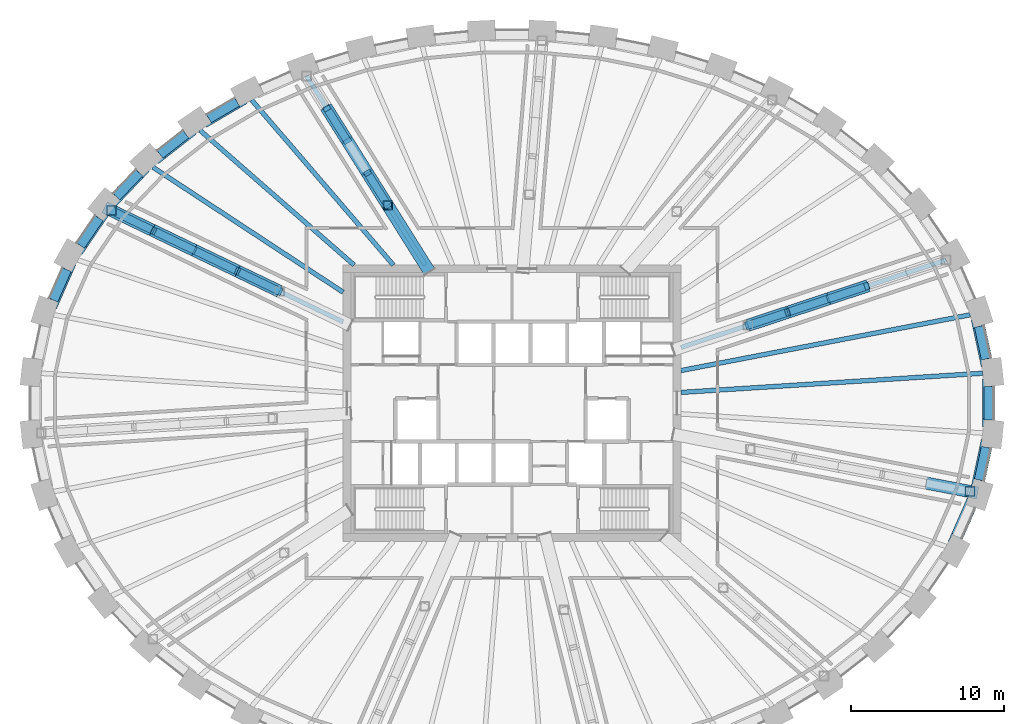
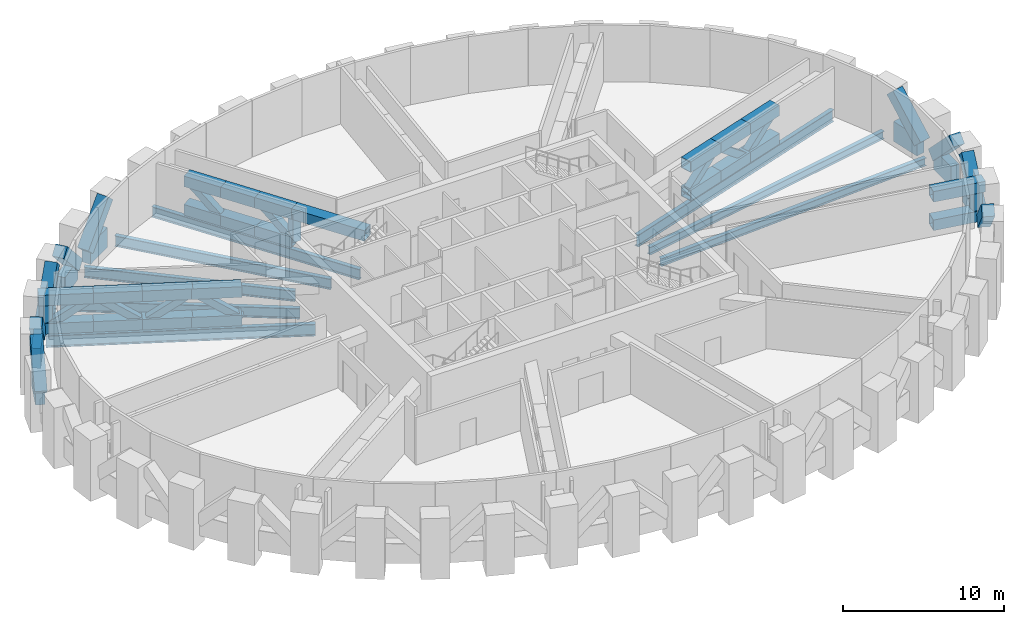
# One storey, part 4 of 12: 44 members, 16 beams.
"""IFC4 building model written with IfcOpenShell, lengths in metres."""

from ifc_helpers import new_model, si_unit, direction, frame, origin, origin_2d, place, context, subcontext, project, spatial, rectangle, hollow_rectangle, i_section, extrude, source, transform, mapped, material, material_profile, profile_set, type_object, element, save


model = new_model("IFC4")

# Units and contexts
model_context = context("Model", 3, precision=1e-05, world=origin(), true_north=direction((0.0, 1.0)))
body_context = subcontext(model_context, "Body", "Model", "MODEL_VIEW")
ifc_project = project(units=[si_unit("LENGTHUNIT", "METRE"), si_unit("AREAUNIT", "SQUARE_METRE"), si_unit("VOLUMEUNIT", "CUBIC_METRE"), si_unit("PLANEANGLEUNIT", "RADIAN"), si_unit("MASSUNIT", "GRAM", prefix="KILO")], contexts=[model_context])

# Site, building, storey
site_placement = place(None, origin())
site = spatial("IfcSite", under=ifc_project, at=site_placement, CompositionType="ELEMENT")
building_placement = place(site_placement, origin())
building = spatial("IfcBuilding", under=site, at=building_placement, Name="Embergate Tower", CompositionType="ELEMENT")
storey_placement = place(building_placement, frame((0.0, 0.0, 289.0)))
storey = spatial("IfcBuildingStorey", under=building, at=storey_placement, Name="L67", CompositionType="ELEMENT", Elevation=289.0)

# Beams
ifc_material_1 = material(Name="Concrete C50", Category="concrete")
ifc_material_profile_1 = material_profile(ifc_material_1, rectangle(XDim=0.60009765625, YDim=1.5, at=origin_2d()), Name="RC 600x1500")
ifc_profile_set_1 = profile_set([ifc_material_profile_1], Name="Concrete C50")
beam_type_1 = type_object("IfcBeamType", Name="Spandrel beam RC 600x1500 C50", PredefinedType="BEAM", material=ifc_profile_set_1)
shared_shape_1 = source(origin(), body_context, "Body", "SweptSolid", [
    extrude(rectangle(XDim=0.60009765625, YDim=1.5, at=origin_2d()), origin(), (0.0, 0.0, 1.0), 2.17041015625),
])
for number, where, z_axis, x_axis, name in (
    (1, (30.8740234375, 2.875, 0.0), (-0.210112850605, 0.977677139965, 0.0), (-0.977677139965, -0.210112850605, 0.0), "SPN-L67-00"),
    (2, (30.41796875, -4.9970703125, 0.0), (0.210112850605, 0.977677139965, 0.0), (-0.977677139965, 0.210112850605, 0.0), "SPN-L67-42"),
):
    element("IfcBeam", number, at=place(storey_placement, frame(where, z_axis=z_axis, x_axis=x_axis)), inside=storey, type_object=beam_type_1, Name=name, PredefinedType="BEAM", context=body_context, shape_type="MappedRepresentation", body=[
        mapped(shared_shape_1, transform((0.0, 0.0, 0.0))),
    ])
shared_shape_2 = source(origin(), body_context, "Body", "SweptSolid", [
    extrude(rectangle(XDim=0.60009765625, YDim=1.5, at=origin_2d()), origin(), (0.0, 0.0, 1.0), 2.1669921875),
])
beam_1_placement = place(storey_placement, frame((-28.992919921875, 8.693115234375, 0.0), z_axis=(-0.401994669844, -0.915642007237, 0.0), x_axis=(0.915642007237, -0.401994669844, 0.0)))
element("IfcBeam", 3, at=beam_1_placement, inside=storey, type_object=beam_type_1, Name="SPN-L67-19", PredefinedType="BEAM", context=body_context, shape_type="MappedRepresentation", body=[
    mapped(shared_shape_2, transform((0.0, 0.0, 0.0))),
])
shared_shape_3 = source(origin(), body_context, "Body", "SweptSolid", [
    extrude(rectangle(XDim=0.60009765625, YDim=1.5, at=origin_2d()), origin(), (0.0, 0.0, 1.0), 2.15771484375),
])
beam_2_placement = place(storey_placement, frame((-26.89111328125, 12.04296875, 0.0), z_axis=(-0.562560674067, -0.826756002696, 0.0), x_axis=(0.826756002696, -0.562560674067, 0.0)))
element("IfcBeam", 4, at=beam_2_placement, inside=storey, type_object=beam_type_1, Name="SPN-L67-18", PredefinedType="BEAM", context=body_context, shape_type="MappedRepresentation", body=[
    mapped(shared_shape_3, transform((0.0, 0.0, 0.0))),
])
shared_shape_4 = source(origin(), body_context, "Body", "SweptSolid", [
    extrude(rectangle(XDim=0.60009765625, YDim=1.5, at=origin_2d()), origin(), (0.0, 0.0, 1.0), 2.153076171875),
])
beam_3_placement = place(storey_placement, frame((-24.27392578125, 15.001953125, 0.0), z_axis=(-0.690241072709, -0.723579478389, 0.0), x_axis=(0.723579478389, -0.690241072709, 0.0)))
element("IfcBeam", 5, at=beam_3_placement, inside=storey, type_object=beam_type_1, Name="SPN-L67-17", PredefinedType="BEAM", context=body_context, shape_type="MappedRepresentation", body=[
    mapped(shared_shape_4, transform((0.0, 0.0, 0.0))),
])
shared_shape_5 = source(origin(), body_context, "Body", "SweptSolid", [
    extrude(rectangle(XDim=0.60009765625, YDim=1.5, at=origin_2d()), origin(), (0.0, 0.0, 1.0), 2.14501953125),
])
beam_4_placement = place(storey_placement, frame((-21.235107421875, 17.514892578125, 0.0), z_axis=(-0.788296932823, -0.615295007052, 0.0), x_axis=(0.615295007052, -0.788296932823, 0.0)))
element("IfcBeam", 6, at=beam_4_placement, inside=storey, type_object=beam_type_1, Name="SPN-L67-16", PredefinedType="BEAM", context=body_context, shape_type="MappedRepresentation", body=[
    mapped(shared_shape_5, transform((0.0, 0.0, 0.0))),
])
shared_shape_6 = source(origin(), body_context, "Body", "SweptSolid", [
    extrude(rectangle(XDim=0.60009765625, YDim=1.5, at=origin_2d()), origin(), (0.0, 0.0, 1.0), 2.142822265625),
])
beam_5_placement = place(storey_placement, frame((-17.89892578125, 19.613037109375, 0.0), z_axis=(-0.862063064419, -0.506801019103, 0.0), x_axis=(0.506801019103, -0.862063064419, 0.0)))
element("IfcBeam", 7, at=beam_5_placement, inside=storey, type_object=beam_type_1, Name="SPN-L67-15", PredefinedType="BEAM", context=body_context, shape_type="MappedRepresentation", body=[
    mapped(shared_shape_6, transform((0.0, 0.0, 0.0))),
])
shared_shape_7 = source(origin(), body_context, "Body", "SweptSolid", [
    extrude(rectangle(XDim=0.60009765625, YDim=1.5, at=origin_2d()), origin(), (0.0, 0.0, 1.0), 2.169921875),
])
beam_6_placement = place(storey_placement, frame((31.06494140625, -1.0849609375, 0.0), z_axis=(0.0, 1.0, 0.0), x_axis=(-1.0, 0.0, 0.0)))
element("IfcBeam", 8, at=beam_6_placement, inside=storey, type_object=beam_type_1, Name="SPN-L67-43", PredefinedType="BEAM", context=body_context, shape_type="MappedRepresentation", body=[
    mapped(shared_shape_7, transform((0.0, 0.0, 0.0))),
])
ifc_material_2 = material(Name="Steel Q355B", Category="steel")
ifc_material_profile_2 = material_profile(ifc_material_2, i_section(OverallWidth=0.300048828125, OverallDepth=0.587890625, WebThickness=0.011962890625, FlangeThickness=0.02001953125, FilletRadius=0.012939453125, at=origin_2d()), Name="HM 588x300x12x20")
ifc_profile_set_2 = profile_set([ifc_material_profile_2], Name="Steel Q355 grade B")
beam_type_2 = type_object("IfcBeamType", Name="Plant girder HM 588x300x12x20", PredefinedType="BEAM", material=ifc_profile_set_2)
shared_shape_8 = source(origin(), body_context, "Body", "SweptSolid", [
    extrude(i_section(OverallWidth=0.300048828125, OverallDepth=0.587890625, WebThickness=0.011962890625, FlangeThickness=0.02001953125, FilletRadius=0.012939453125, at=origin_2d()), origin(), (0.0, 0.0, 1.0), 19.70458984375),
])
beam_7_placement = place(storey_placement, frame((30.6650390625, 1.947998046875, -0.593994140625), z_axis=(-0.997989009721, -0.063387194887, 0.0), x_axis=(0.063387194887, -0.997989009721, 0.0)))
element("IfcBeam", 9, at=beam_7_placement, inside=storey, type_object=beam_type_2, Name="GIR-L67-00", PredefinedType="BEAM", context=body_context, shape_type="MappedRepresentation", body=[
    mapped(shared_shape_8, transform((0.0, 0.0, 0.0))),
])
shared_shape_9 = source(origin(), body_context, "Body", "SweptSolid", [
    extrude(i_section(OverallWidth=0.300048828125, OverallDepth=0.587890625, WebThickness=0.011962890625, FlangeThickness=0.02001953125, FilletRadius=0.012939453125, at=origin_2d()), origin(), (0.0, 0.0, 1.0), 19.1923828125),
])
beam_8_placement = place(storey_placement, frame((29.844970703125, 5.757080078125, -0.593994140625), z_axis=(-0.981900225542, -0.189398909924, 0.0), x_axis=(0.189398909924, -0.981900225542, 0.0)))
element("IfcBeam", 10, at=beam_8_placement, inside=storey, type_object=beam_type_2, Name="GIR-L67-01", PredefinedType="BEAM", context=body_context, shape_type="MappedRepresentation", body=[
    mapped(shared_shape_9, transform((0.0, 0.0, 0.0))),
])
ifc_material_profile_3 = material_profile(ifc_material_2, i_section(OverallWidth=0.300048828125, OverallDepth=0.89990234375, WebThickness=0.01611328125, FlangeThickness=0.028076171875, FilletRadius=0.028076171875, at=origin_2d()), Name="HN 900x300x16x28")
ifc_profile_set_3 = profile_set([ifc_material_profile_3], Name="Steel Q355 grade B")
beam_type_3 = type_object("IfcBeamType", Name="Plant girder HN 900x300x16x28", PredefinedType="BEAM", material=ifc_profile_set_3)
shared_shape_10 = source(origin(), body_context, "Body", "SweptSolid", [
    extrude(i_section(OverallWidth=0.300048828125, OverallDepth=0.89990234375, WebThickness=0.01611328125, FlangeThickness=0.028076171875, FilletRadius=0.028076171875, at=origin_2d()), origin(), (0.0, 0.0, 1.0), 18.194580078125),
])
beam_9_placement = place(storey_placement, frame((28.279052734375, 9.325927734375, -0.75), z_axis=(-0.949679549601, -0.313223168157, 0.0), x_axis=(0.313223168157, -0.949679549601, 0.0)))
element("IfcBeam", 11, at=beam_9_placement, inside=storey, type_object=beam_type_3, Name="GIR-L67-02", PredefinedType="BEAM", context=body_context, shape_type="MappedRepresentation", body=[
    mapped(shared_shape_10, transform((0.0, 0.0, 0.0))),
])
shared_shape_11 = source(origin(), body_context, "Body", "SweptSolid", [
    extrude(i_section(OverallWidth=0.300048828125, OverallDepth=0.89990234375, WebThickness=0.01611328125, FlangeThickness=0.028076171875, FilletRadius=0.028076171875, at=origin_2d()), origin(), (0.0, 0.0, 1.0), 16.742919921875),
])
beam_10_placement = place(storey_placement, frame((-26.087890625, 12.550048828125, -0.75), z_axis=(0.901152969727, -0.433501240081, 0.0), x_axis=(0.433501240081, 0.901152969727, 0.0)))
element("IfcBeam", 12, at=beam_10_placement, inside=storey, type_object=beam_type_3, Name="GIR-L67-18", PredefinedType="BEAM", context=body_context, shape_type="MappedRepresentation", body=[
    mapped(shared_shape_11, transform((0.0, 0.0, 0.0))),
])
ifc_material_profile_4 = material_profile(ifc_material_2, i_section(OverallWidth=0.300048828125, OverallDepth=0.800048828125, WebThickness=0.013916015625, FlangeThickness=0.02587890625, FilletRadius=0.028076171875, at=origin_2d()), Name="HN 800x300x14x26")
ifc_profile_set_4 = profile_set([ifc_material_profile_4], Name="Steel Q355 grade B")
beam_type_4 = type_object("IfcBeamType", Name="Plant girder HN 800x300x14x26", PredefinedType="BEAM", material=ifc_profile_set_4)
shared_shape_12 = source(origin(), body_context, "Body", "SweptSolid", [
    extrude(i_section(OverallWidth=0.300048828125, OverallDepth=0.800048828125, WebThickness=0.013916015625, FlangeThickness=0.02587890625, FilletRadius=0.028076171875, at=origin_2d()), origin(), (0.0, 0.0, 1.0), 14.83251953125),
])
beam_11_placement = place(storey_placement, frame((-23.39599609375, 15.3720703125, -0.699951171875), z_axis=(0.835733968997, -0.549134530935, 0.0), x_axis=(0.549134530935, 0.835733968997, 0.0)))
element("IfcBeam", 13, at=beam_11_placement, inside=storey, type_object=beam_type_4, Name="GIR-L67-17", PredefinedType="BEAM", context=body_context, shape_type="MappedRepresentation", body=[
    mapped(shared_shape_12, transform((0.0, 0.0, 0.0))),
])
shared_shape_13 = source(origin(), body_context, "Body", "SweptSolid", [
    extrude(i_section(OverallWidth=0.300048828125, OverallDepth=0.800048828125, WebThickness=0.013916015625, FlangeThickness=0.02587890625, FilletRadius=0.028076171875, at=origin_2d()), origin(), (0.0, 0.0, 1.0), 13.325439453125),
])
beam_12_placement = place(storey_placement, frame((-20.322021484375, 17.77197265625, -0.699951171875), z_axis=(0.752768469268, -0.658285372522, 0.0), x_axis=(0.658285372522, 0.752768469268, 0.0)))
element("IfcBeam", 14, at=beam_12_placement, inside=storey, type_object=beam_type_4, Name="GIR-L67-16", PredefinedType="BEAM", context=body_context, shape_type="MappedRepresentation", body=[
    mapped(shared_shape_13, transform((0.0, 0.0, 0.0))),
])
shared_shape_14 = source(origin(), body_context, "Body", "SweptSolid", [
    extrude(i_section(OverallWidth=0.300048828125, OverallDepth=0.800048828125, WebThickness=0.013916015625, FlangeThickness=0.02587890625, FilletRadius=0.028076171875, at=origin_2d()), origin(), (0.0, 0.0, 1.0), 14.16796875),
])
beam_13_placement = place(storey_placement, frame((-16.958984375, 19.7490234375, -0.699951171875), z_axis=(0.651463764724, -0.758679750126, 0.0), x_axis=(0.758679750126, 0.651463764724, 0.0)))
element("IfcBeam", 15, at=beam_13_placement, inside=storey, type_object=beam_type_4, Name="GIR-L67-15", PredefinedType="BEAM", context=body_context, shape_type="MappedRepresentation", body=[
    mapped(shared_shape_14, transform((0.0, 0.0, 0.0))),
])
shared_shape_15 = source(origin(), body_context, "Body", "SweptSolid", [
    extrude(i_section(OverallWidth=0.300048828125, OverallDepth=0.800048828125, WebThickness=0.013916015625, FlangeThickness=0.02587890625, FilletRadius=0.028076171875, at=origin_2d()), origin(), (0.0, 0.0, 1.0), 14.5390625),
])
beam_14_placement = place(storey_placement, frame((-13.385009765625, 21.31201171875, -0.699951171875), z_axis=(0.531872320172, -0.846824559773, 0.0), x_axis=(0.846824559773, 0.531872320172, 0.0)))
element("IfcBeam", 16, at=beam_14_placement, inside=storey, type_object=beam_type_4, Name="GIR-L67-14", PredefinedType="BEAM", context=body_context, shape_type="MappedRepresentation", body=[
    mapped(shared_shape_15, transform((0.0, 0.0, 0.0))),
])

# Members
ifc_material_profile_5 = material_profile(ifc_material_2, hollow_rectangle(XDim=0.800048828125, YDim=0.800048828125, WallThickness=0.0400390625, at=origin_2d()), Name="BOX 800x800x40")
ifc_profile_set_5 = profile_set([ifc_material_profile_5], Name="Steel Q355 grade B")
member_type_1 = type_object("IfcMemberType", Name="Outrigger chord BOX 800x800x40", PredefinedType="CHORD", material=ifc_profile_set_5)
shared_shape_16 = source(origin(), body_context, "Body", "SweptSolid", [
    extrude(hollow_rectangle(XDim=0.800048828125, YDim=0.800048828125, WallThickness=0.0400390625, at=origin_2d()), origin(), (0.0, 0.0, 1.0), 2.818603515625),
])
for number, where, z_axis, x_axis, name in (
    (17, (15.368896484375, 5.069091796875, 2.550048828125), (0.949794781049, 0.312873574934, 0.0), (-0.312873574934, 0.949794781049, 0.0), "OUT-L67-02-TC01"),
    (18, (20.532958984375, 6.77197265625, 2.550048828125), (0.949769037865, 0.312951713069, 0.0), (-0.312951713069, 0.949769037865, 0.0), "OUT-L67-02-TC03"),
    (19, (15.368896484375, 5.069091796875, 0.39990234375), (0.949794781049, 0.312873574934, 0.0), (-0.312873574934, 0.949794781049, 0.0), "OUT-L67-02-BC00"),
    (20, (20.532958984375, 6.77197265625, 0.39990234375), (0.949769037865, 0.312951713069, 0.0), (-0.312951713069, 0.949769037865, 0.0), "OUT-L67-02-BC02"),
):
    element("IfcMember", number, at=place(storey_placement, frame(where, z_axis=z_axis, x_axis=x_axis)), inside=storey, type_object=member_type_1, Name=name, PredefinedType="CHORD", context=body_context, shape_type="MappedRepresentation", body=[
        mapped(shared_shape_16, transform((0.0, 0.0, 0.0))),
    ])
shared_shape_17 = source(origin(), body_context, "Body", "SweptSolid", [
    extrude(hollow_rectangle(XDim=0.800048828125, YDim=0.800048828125, WallThickness=0.0400390625, at=origin_2d()), origin(), (0.0, 0.0, 1.0), 2.81884765625),
])
for number, where, z_axis, x_axis, name in (
    (21, (17.950927734375, 5.919921875, 2.550048828125), (0.949666014821, 0.313264202062, 0.0), (-0.313264202062, 0.949666014821, 0.0), "OUT-L67-02-TC02"),
    (22, (17.950927734375, 5.919921875, 0.39990234375), (0.949666014821, 0.313264202062, 0.0), (-0.313264202062, 0.949666014821, 0.0), "OUT-L67-02-BC01"),
):
    element("IfcMember", number, at=place(storey_placement, frame(where, z_axis=z_axis, x_axis=x_axis)), inside=storey, type_object=member_type_1, Name=name, PredefinedType="CHORD", context=body_context, shape_type="MappedRepresentation", body=[
        mapped(shared_shape_17, transform((0.0, 0.0, 0.0))),
    ])
ifc_material_profile_6 = material_profile(ifc_material_2, hollow_rectangle(XDim=0.60009765625, YDim=0.60009765625, WallThickness=0.028076171875, at=origin_2d()), Name="BOX 600x600x28")
ifc_profile_set_6 = profile_set([ifc_material_profile_6], Name="Steel Q355 grade B")
member_type_2 = type_object("IfcMemberType", Name="Outrigger post BOX 600x600x28", PredefinedType="POST", material=ifc_profile_set_6)
shared_shape_18 = source(origin(), body_context, "Body", "SweptSolid", [
    extrude(hollow_rectangle(XDim=0.60009765625, YDim=0.60009765625, WallThickness=0.028076171875, at=origin_2d()), origin(), (0.0, 0.0, 1.0), 2.150146484375),
])
for number, where, z_axis, x_axis, name in (
    (23, (-8.09912109375, 12.89501953125, 0.39990234375), (0.0, 0.0, 1.0), (1.0, 0.0, 0.0), "OUT-L67-14-PO00"),
    (24, (-26.0869140625, 12.550048828125, 0.39990234375), (0.0, 0.0, 1.0), (1.0, 0.0, 0.0), "OUT-L67-18-PO04"),
    (25, (29.844970703125, -5.757080078125, 0.39990234375), (0.0, 0.0, 1.0), (1.0, 0.0, 0.0), "OUT-L67-42-PO05"),
):
    element("IfcMember", number, at=place(storey_placement, frame(where, z_axis=z_axis, x_axis=x_axis)), inside=storey, type_object=member_type_2, Name=name, PredefinedType="POST", context=body_context, shape_type="MappedRepresentation", body=[
        mapped(shared_shape_18, transform((0.0, 0.0, 0.0))),
    ])
ifc_material_profile_7 = material_profile(ifc_material_2, hollow_rectangle(XDim=0.5, YDim=0.5, WallThickness=0.02490234375, at=origin_2d()), Name="BOX 500x500x25")
ifc_profile_set_7 = profile_set([ifc_material_profile_7], Name="Steel Q355 grade B")
member_type_3 = type_object("IfcMemberType", Name="Outrigger diagonal BOX 500x500x25", PredefinedType="BRACE", material=ifc_profile_set_7)
shared_shape_19 = source(origin(), body_context, "Body", "SweptSolid", [
    extrude(hollow_rectangle(XDim=0.5, YDim=0.5, WallThickness=0.02490234375, at=origin_2d()), origin(), (0.0, 0.0, 1.0), 3.466064453125),
])
for number, where, z_axis, x_axis, name in (
    (26, (15.368896484375, 5.069091796875, 0.39990234375), (0.744936060618, 0.245471082759, 0.620333952899), (-0.312966023422, 0.949764322442, 0.0), "OUT-L67-02-DG00"),
    (27, (20.532958984375, 6.77197265625, 0.39990234375), (0.744923179074, 0.245537273284, 0.620323225993), (-0.313047027671, 0.949737626119, 0.0), "OUT-L67-02-DG02"),
):
    element("IfcMember", number, at=place(storey_placement, frame(where, z_axis=z_axis, x_axis=x_axis)), inside=storey, type_object=member_type_3, Name=name, PredefinedType="BRACE", context=body_context, shape_type="MappedRepresentation", body=[
        mapped(shared_shape_19, transform((0.0, 0.0, 0.0))),
    ])
shared_shape_20 = source(origin(), body_context, "Body", "SweptSolid", [
    extrude(hollow_rectangle(XDim=0.5, YDim=0.5, WallThickness=0.02490234375, at=origin_2d()), origin(), (0.0, 0.0, 1.0), 3.46630859375),
])
member_1_placement = place(storey_placement, frame((17.950927734375, 5.919921875, 2.550048828125), z_axis=(0.744871622629, 0.245802001038, -0.620280293164), x_axis=(-0.313370976346, 0.949630786771, 0.0)))
element("IfcMember", 28, at=member_1_placement, inside=storey, type_object=member_type_3, Name="OUT-L67-02-DG01", PredefinedType="BRACE", context=body_context, shape_type="MappedRepresentation", body=[
    mapped(shared_shape_20, transform((0.0, 0.0, 0.0))),
])
shared_shape_21 = source(origin(), body_context, "Body", "SweptSolid", [
    extrude(hollow_rectangle(XDim=0.800048828125, YDim=0.800048828125, WallThickness=0.0400390625, at=origin_2d()), origin(), (0.0, 0.0, 1.0), 5.199951171875),
])
member_2_placement = place(storey_placement, frame((-5.385986328125, 8.576904296875, 2.550048828125), z_axis=(-0.531959986064, 0.846769492381, 0.0), x_axis=(-0.846769492381, -0.531959986064, 0.0)))
element("IfcMember", 29, at=member_2_placement, inside=storey, type_object=member_type_1, Name="OUT-L67-14-TC00", PredefinedType="CHORD", context=body_context, shape_type="MappedRepresentation", body=[
    mapped(shared_shape_21, transform((0.0, 0.0, 0.0))),
])
shared_shape_22 = source(origin(), body_context, "Body", "SweptSolid", [
    extrude(hollow_rectangle(XDim=0.800048828125, YDim=0.800048828125, WallThickness=0.0400390625, at=origin_2d()), origin(), (0.0, 0.0, 1.0), 2.5849609375),
])
for number, where, z_axis, x_axis, name in (
    (30, (-8.09912109375, 12.89501953125, 2.550048828125), (-0.531916203576, 0.846796995964, 0.0), (-0.846796995964, -0.531916203576, 0.0), "OUT-L67-14-TC01"),
    (31, (-9.419921875, 14.9990234375, 2.550048828125), (-0.531916203576, 0.846796995964, 0.0), (-0.846796995964, -0.531916203576, 0.0), "OUT-L67-14-TC02"),
    (32, (-10.741943359375, 17.10302734375, 2.550048828125), (-0.531916203576, 0.846796995964, 0.0), (-0.846796995964, -0.531916203576, 0.0), "OUT-L67-14-TC03"),
    (33, (-8.09912109375, 12.89501953125, 0.39990234375), (-0.531916203576, 0.846796995964, 0.0), (-0.846796995964, -0.531916203576, 0.0), "OUT-L67-14-BC00"),
    (34, (-9.419921875, 14.9990234375, 0.39990234375), (-0.531916203576, 0.846796995964, 0.0), (-0.846796995964, -0.531916203576, 0.0), "OUT-L67-14-BC01"),
    (35, (-10.741943359375, 17.10302734375, 0.39990234375), (-0.531916203576, 0.846796995964, 0.0), (-0.846796995964, -0.531916203576, 0.0), "OUT-L67-14-BC02"),
):
    element("IfcMember", number, at=place(storey_placement, frame(where, z_axis=z_axis, x_axis=x_axis)), inside=storey, type_object=member_type_1, Name=name, PredefinedType="CHORD", context=body_context, shape_type="MappedRepresentation", body=[
        mapped(shared_shape_22, transform((0.0, 0.0, 0.0))),
    ])
shared_shape_23 = source(origin(), body_context, "Body", "SweptSolid", [
    extrude(hollow_rectangle(XDim=0.5, YDim=0.5, WallThickness=0.02490234375, at=origin_2d()), origin(), (0.0, 0.0, 1.0), 3.285400390625),
])
member_3_placement = place(storey_placement, frame((-8.09912109375, 12.89501953125, 0.39990234375), z_axis=(-0.402009682751, 0.640391764501, 0.654436095377), x_axis=(-0.84694762321, -0.531676333438, 0.0)))
element("IfcMember", 36, at=member_3_placement, inside=storey, type_object=member_type_3, Name="OUT-L67-14-DG00", PredefinedType="BRACE", context=body_context, shape_type="MappedRepresentation", body=[
    mapped(shared_shape_23, transform((0.0, 0.0, 0.0))),
])
shared_shape_24 = source(origin(), body_context, "Body", "SweptSolid", [
    extrude(hollow_rectangle(XDim=0.5, YDim=0.5, WallThickness=0.02490234375, at=origin_2d()), origin(), (0.0, 0.0, 1.0), 3.28564453125),
])
member_4_placement = place(storey_placement, frame((-10.741943359375, 17.10302734375, 0.39990234375), z_axis=(-0.402071979439, 0.640372633303, 0.654416544616), x_axis=(-0.846903368445, -0.531746823701, 0.0)))
element("IfcMember", 37, at=member_4_placement, inside=storey, type_object=member_type_3, Name="OUT-L67-14-DG02", PredefinedType="BRACE", context=body_context, shape_type="MappedRepresentation", body=[
    mapped(shared_shape_24, transform((0.0, 0.0, 0.0))),
])
shared_shape_25 = source(origin(), body_context, "Body", "SweptSolid", [
    extrude(hollow_rectangle(XDim=0.800048828125, YDim=0.800048828125, WallThickness=0.0400390625, at=origin_2d()), origin(), (0.0, 0.0, 1.0), 3.1357421875),
])
for number, where, z_axis, x_axis, name in (
    (38, (-15.14501953125, 7.285888671875, 2.550048828125), (-0.90118868426, 0.433426989656, 0.0), (-0.433426989656, -0.90118868426, 0.0), "OUT-L67-18-TC01"),
    (39, (-20.615966796875, 9.91796875, 2.550048828125), (-0.90118868426, 0.433426989656, 0.0), (-0.433426989656, -0.90118868426, 0.0), "OUT-L67-18-TC03"),
    (40, (-15.14501953125, 7.285888671875, 0.39990234375), (-0.90118868426, 0.433426989656, 0.0), (-0.433426989656, -0.90118868426, 0.0), "OUT-L67-18-BC00"),
    (41, (-20.615966796875, 9.91796875, 0.39990234375), (-0.90118868426, 0.433426989656, 0.0), (-0.433426989656, -0.90118868426, 0.0), "OUT-L67-18-BC02"),
):
    element("IfcMember", number, at=place(storey_placement, frame(where, z_axis=z_axis, x_axis=x_axis)), inside=storey, type_object=member_type_1, Name=name, PredefinedType="CHORD", context=body_context, shape_type="MappedRepresentation", body=[
        mapped(shared_shape_25, transform((0.0, 0.0, 0.0))),
    ])
shared_shape_26 = source(origin(), body_context, "Body", "SweptSolid", [
    extrude(hollow_rectangle(XDim=0.800048828125, YDim=0.800048828125, WallThickness=0.0400390625, at=origin_2d()), origin(), (0.0, 0.0, 1.0), 3.134765625),
])
for number, where, z_axis, x_axis, name in (
    (42, (-17.881103515625, 8.60205078125, 2.550048828125), (-0.901160580086, 0.433485419476, 0.0), (-0.433485419476, -0.901160580086, 0.0), "OUT-L67-18-TC02"),
    (43, (-17.881103515625, 8.60205078125, 0.39990234375), (-0.901160580086, 0.433485419476, 0.0), (-0.433485419476, -0.901160580086, 0.0), "OUT-L67-18-BC01"),
):
    element("IfcMember", number, at=place(storey_placement, frame(where, z_axis=z_axis, x_axis=x_axis)), inside=storey, type_object=member_type_1, Name=name, PredefinedType="CHORD", context=body_context, shape_type="MappedRepresentation", body=[
        mapped(shared_shape_26, transform((0.0, 0.0, 0.0))),
    ])
shared_shape_27 = source(origin(), body_context, "Body", "SweptSolid", [
    extrude(hollow_rectangle(XDim=0.800048828125, YDim=0.800048828125, WallThickness=0.0400390625, at=origin_2d()), origin(), (0.0, 0.0, 1.0), 3.53564453125),
])
for number, where, z_axis, x_axis, name in (
    (44, (-23.35205078125, 11.23388671875, 2.550048828125), (-0.90109161422, 0.433628761479, 0.0), (-0.433628761479, -0.90109161422, 0.0), "OUT-L67-18-TC04"),
    (45, (-23.35205078125, 11.23388671875, 0.39990234375), (-0.90109161422, 0.433628761479, 0.0), (-0.433628761479, -0.90109161422, 0.0), "OUT-L67-18-BC03"),
):
    element("IfcMember", number, at=place(storey_placement, frame(where, z_axis=z_axis, x_axis=x_axis)), inside=storey, type_object=member_type_1, Name=name, PredefinedType="CHORD", context=body_context, shape_type="MappedRepresentation", body=[
        mapped(shared_shape_27, transform((0.0, 0.0, 0.0))),
    ])
shared_shape_28 = source(origin(), body_context, "Body", "SweptSolid", [
    extrude(hollow_rectangle(XDim=0.5, YDim=0.5, WallThickness=0.02490234375, at=origin_2d()), origin(), (0.0, 0.0, 1.0), 3.720458984375),
])
for number, where, z_axis, x_axis, name in (
    (46, (-15.14501953125, 7.285888671875, 0.39990234375), (-0.735422268213, 0.353766525202, 0.577930214701), (-0.43349162162, -0.901157596642, 0.0), "OUT-L67-18-DG00"),
    (47, (-20.615966796875, 9.91796875, 0.39990234375), (-0.735439339873, 0.353709114117, 0.577943630433), (-0.433426318252, -0.901189007171, 0.0), "OUT-L67-18-DG02"),
):
    element("IfcMember", number, at=place(storey_placement, frame(where, z_axis=z_axis, x_axis=x_axis)), inside=storey, type_object=member_type_3, Name=name, PredefinedType="BRACE", context=body_context, shape_type="MappedRepresentation", body=[
        mapped(shared_shape_28, transform((0.0, 0.0, 0.0))),
    ])
shared_shape_29 = source(origin(), body_context, "Body", "SweptSolid", [
    extrude(hollow_rectangle(XDim=0.5, YDim=0.5, WallThickness=0.02490234375, at=origin_2d()), origin(), (0.0, 0.0, 1.0), 3.719482421875),
])
for number, where, z_axis, x_axis, name in (
    (48, (-17.881103515625, 8.60205078125, 2.550048828125), (-0.735288637738, 0.353794479326, -0.578083113066), (-0.433583414878, -0.901113434781, 0.0), "OUT-L67-18-DG01"),
    (49, (-23.35205078125, 11.23388671875, 2.550048828125), (-0.735271561337, 0.353851900301, -0.578069687618), (-0.433648730957, -0.901082004115, 0.0), "OUT-L67-18-DG03"),
):
    element("IfcMember", number, at=place(storey_placement, frame(where, z_axis=z_axis, x_axis=x_axis)), inside=storey, type_object=member_type_3, Name=name, PredefinedType="BRACE", context=body_context, shape_type="MappedRepresentation", body=[
        mapped(shared_shape_29, transform((0.0, 0.0, 0.0))),
    ])
shared_shape_30 = source(origin(), body_context, "Body", "SweptSolid", [
    extrude(hollow_rectangle(XDim=0.800048828125, YDim=0.800048828125, WallThickness=0.0400390625, at=origin_2d()), origin(), (0.0, 0.0, 1.0), 3.4189453125),
])
for number, where, z_axis, x_axis, name in (
    (50, (26.97900390625, -5.2041015625, 2.550048828125), (0.981876844629, -0.18952008332, 0.0), (0.18952008332, 0.981876844629, 0.0), "OUT-L67-42-TC05"),
    (51, (26.97900390625, -5.2041015625, 0.39990234375), (0.981876844629, -0.18952008332, 0.0), (0.18952008332, 0.981876844629, 0.0), "OUT-L67-42-BC04"),
):
    element("IfcMember", number, at=place(storey_placement, frame(where, z_axis=z_axis, x_axis=x_axis)), inside=storey, type_object=member_type_1, Name=name, PredefinedType="CHORD", context=body_context, shape_type="MappedRepresentation", body=[
        mapped(shared_shape_30, transform((0.0, 0.0, 0.0))),
    ])
ifc_material_3 = material(Name="Concrete C70", Category="concrete")
ifc_material_profile_8 = material_profile(ifc_material_3, rectangle(XDim=0.800048828125, YDim=0.800048828125, at=origin_2d()), Name="RC 800x800")
ifc_profile_set_8 = profile_set([ifc_material_profile_8], Name="Concrete C70")
member_type_4 = type_object("IfcMemberType", Name="Belt ring diagonal RC 800x800", PredefinedType="BRACE", material=ifc_profile_set_8)
shared_shape_31 = source(origin(), body_context, "Body", "SweptSolid", [
    extrude(rectangle(XDim=0.800048828125, YDim=0.800048828125, at=origin_2d()), origin(), (0.0, 0.0, 1.0), 3.625244140625),
])
for number, where, z_axis, x_axis, name in (
    (52, (30.906982421875, 2.72412109375, 0.277099609375), (-0.147822149632, 0.687659211794, 0.710825872147), (-0.977666295212, -0.210163306042, 0.0), "BLT-L67-00"),
    (53, (30.37109375, -5.217041015625, 0.2060546875), (0.147822149632, 0.687659211794, 0.710825872147), (-0.977666295212, 0.210163306042, 0.0), "BLT-L67-42"),
):
    element("IfcMember", number, at=place(storey_placement, frame(where, z_axis=z_axis, x_axis=x_axis)), inside=storey, type_object=member_type_4, Name=name, PredefinedType="BRACE", context=body_context, shape_type="MappedRepresentation", body=[
        mapped(shared_shape_31, transform((0.0, 0.0, 0.0))),
    ])
shared_shape_32 = source(origin(), body_context, "Body", "SweptSolid", [
    extrude(rectangle(XDim=0.800048828125, YDim=0.800048828125, at=origin_2d()), origin(), (0.0, 0.0, 1.0), 3.60302734375),
])
for number, where, z_axis, x_axis, name in (
    (54, (-29.9208984375, 6.580078125, 0.291015625), (0.282489552157, 0.643580179033, 0.711339726205), (-0.915674320086, 0.401921061322, 0.0), "BLT-L67-19"),
    (55, (29.9208984375, -6.580078125, 0.291015625), (-0.282489552157, -0.643580179033, 0.711339726205), (0.915674320086, -0.401921061322, 0.0), "BLT-L67-41"),
):
    element("IfcMember", number, at=place(storey_placement, frame(where, z_axis=z_axis, x_axis=x_axis)), inside=storey, type_object=member_type_4, Name=name, PredefinedType="BRACE", context=body_context, shape_type="MappedRepresentation", body=[
        mapped(shared_shape_32, transform((0.0, 0.0, 0.0))),
    ])
shared_shape_33 = source(origin(), body_context, "Body", "SweptSolid", [
    extrude(rectangle(XDim=0.800048828125, YDim=0.800048828125, at=origin_2d()), origin(), (0.0, 0.0, 1.0), 3.597900390625),
])
member_5_placement = place(storey_placement, frame((-26.764892578125, 12.22900390625, 0.205078125), z_axis=(-0.394460450142, -0.579781538966, 0.712919574951), x_axis=(0.826787888734, -0.562513810535, 0.0)))
element("IfcMember", 56, at=member_5_placement, inside=storey, type_object=member_type_4, Name="BLT-L67-18", PredefinedType="BRACE", context=body_context, shape_type="MappedRepresentation", body=[
    mapped(shared_shape_33, transform((0.0, 0.0, 0.0))),
])
shared_shape_34 = source(origin(), body_context, "Body", "SweptSolid", [
    extrude(rectangle(XDim=0.800048828125, YDim=0.800048828125, at=origin_2d()), origin(), (0.0, 0.0, 1.0), 3.59375),
])
member_6_placement = place(storey_placement, frame((-25.85693359375, 13.343017578125, 0.2900390625), z_axis=(0.483611560702, 0.506708615153, 0.713698982544), x_axis=(-0.723401780179, 0.690427305684, 0.0)))
element("IfcMember", 57, at=member_6_placement, inside=storey, type_object=member_type_4, Name="BLT-L67-17", PredefinedType="BRACE", context=body_context, shape_type="MappedRepresentation", body=[
    mapped(shared_shape_34, transform((0.0, 0.0, 0.0))),
])
shared_shape_35 = source(origin(), body_context, "Body", "SweptSolid", [
    extrude(rectangle(XDim=0.800048828125, YDim=0.800048828125, at=origin_2d()), origin(), (0.0, 0.0, 1.0), 3.608642578125),
])
member_7_placement = place(storey_placement, frame((-21.048095703125, 17.660888671875, 0.18896484375), z_axis=(-0.550851328961, -0.4300862071, 0.715254267966), x_axis=(0.615407307632, -0.788209265178, 0.0)))
element("IfcMember", 58, at=member_7_placement, inside=storey, type_object=member_type_4, Name="BLT-L67-16", PredefinedType="BRACE", context=body_context, shape_type="MappedRepresentation", body=[
    mapped(shared_shape_35, transform((0.0, 0.0, 0.0))),
])
shared_shape_36 = source(origin(), body_context, "Body", "SweptSolid", [
    extrude(rectangle(XDim=0.800048828125, YDim=0.800048828125, at=origin_2d()), origin(), (0.0, 0.0, 1.0), 3.587158203125),
])
member_8_placement = place(storey_placement, frame((-19.865966796875, 18.4560546875, 0.2890625), z_axis=(0.602137183008, 0.354054213407, 0.715595155663), x_axis=(-0.50686682448, 0.862024374505, 0.0)))
element("IfcMember", 59, at=member_8_placement, inside=storey, type_object=member_type_4, Name="BLT-L67-15", PredefinedType="BRACE", context=body_context, shape_type="MappedRepresentation", body=[
    mapped(shared_shape_36, transform((0.0, 0.0, 0.0))),
])
shared_shape_37 = source(origin(), body_context, "Body", "SweptSolid", [
    extrude(rectangle(XDim=0.800048828125, YDim=0.800048828125, at=origin_2d()), origin(), (0.0, 0.0, 1.0), 3.64599609375),
])
member_9_placement = place(storey_placement, frame((31.06494140625, 1.281982421875, 0.23388671875), z_axis=(0.0, -0.703245922756, 0.710946673195), x_axis=(1.0, 0.0, 0.0)))
element("IfcMember", 60, at=member_9_placement, inside=storey, type_object=member_type_4, Name="BLT-L67-43", PredefinedType="BRACE", context=body_context, shape_type="MappedRepresentation", body=[
    mapped(shared_shape_37, transform((0.0, 0.0, 0.0))),
])

save(model, "model.ifc")
